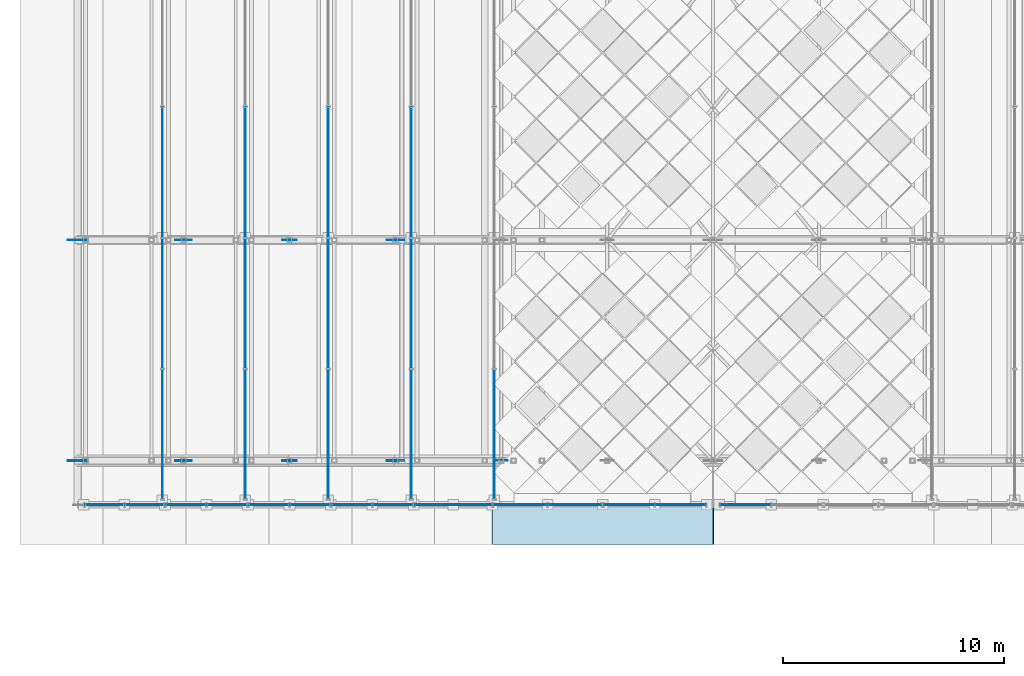
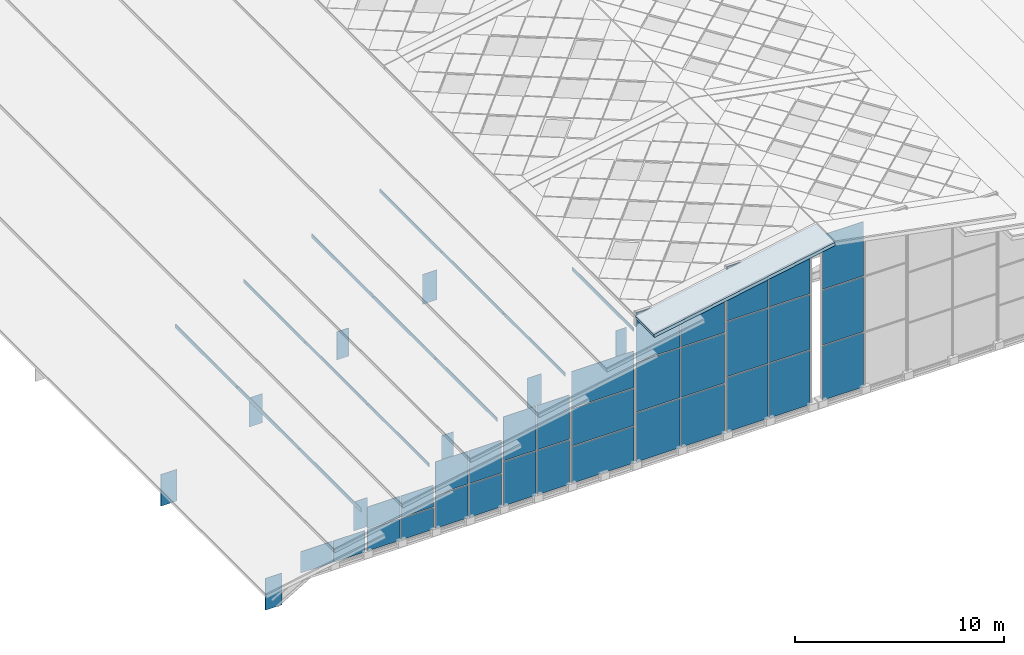
# One storey, part 85 of 117: 54 plates, 1 slab, 13 elements without a shape of their own.
"""IFC4 building model written with IfcOpenShell, lengths in metres."""

from ifc_helpers import new_model, si_unit, direction, frame, origin, origin_2d, place, context, subcontext, project, spatial, polyline, rectangle, outline, extrude, material, layer, layer_set, type_object, element, aggregate, save


model = new_model("IFC4")

# Units and contexts
model_context = context("Model", 3, precision=1e-05, world=origin(), true_north=direction((0.0, 1.0)))
body_context = subcontext(model_context, "Body", "Model", "MODEL_VIEW")
ifc_project = project(units=[si_unit("LENGTHUNIT", "METRE"), si_unit("AREAUNIT", "SQUARE_METRE"), si_unit("VOLUMEUNIT", "CUBIC_METRE"), si_unit("PLANEANGLEUNIT", "RADIAN"), si_unit("MASSUNIT", "GRAM", prefix="KILO")], contexts=[model_context])

# Site, building, storey
site_placement = place(None, origin())
site = spatial("IfcSite", under=ifc_project, at=site_placement, CompositionType="ELEMENT")
building_placement = place(site_placement, origin())
building = spatial("IfcBuilding", under=site, at=building_placement, Name="Merenkruunu Market Hall", CompositionType="ELEMENT")
storey_placement = place(building_placement, frame((0.0, 0.0, 22.800048828125)))
storey = spatial("IfcBuildingStorey", under=building, at=storey_placement, Name="RF", CompositionType="ELEMENT", Elevation=22.800048828125)

# Curtain wall, plates
ifc_material_1 = material(Name="Powder-coated aluminium", Category="aluminium")
curtain_wall_type_1 = type_object("IfcCurtainWallType", Name="Clerestory Curtain Band CL03", PredefinedType="USERDEFINED", material=ifc_material_1)
curtain_wall_1_placement = place(storey_placement, origin())
curtain_wall_1 = element("IfcCurtainWall", 1, at=curtain_wall_1_placement, inside=storey, type_object=curtain_wall_type_1, Name="CW-RF-CWM03-037", ObjectType="CLERESTORY_BAND", PredefinedType="USERDEFINED")
ifc_material_2 = material(Name="Triple low-E insulated glass", Category="glass")
ifc_layer_1 = layer(ifc_material_2, 0.035888671875)
ifc_layer_set_1 = layer_set([ifc_layer_1], Name="Triple low-E insulated glass")
plate_type_1 = type_object("IfcPlateType", Name="Curtain Wall Glazing Panel CWP05", PredefinedType="CURTAIN_PANEL", material=ifc_layer_set_1)
plate_1_placement = place(storey_placement, frame((3.02490234375, 15.60009765625, -8.630126953125), z_axis=(0.0, 0.0, 1.0), x_axis=(-1.0, 0.0, 0.0)))
plate_1 = element("IfcPlate", 2, at=plate_1_placement, type_object=plate_type_1, Name="CL03 panel 1.1", PredefinedType="CURTAIN_PANEL", context=body_context, shape_type="SweptSolid", body=[
    extrude(rectangle(XDim=1.75, YDim=0.035888671875, at=origin_2d()), origin(), (0.0, 0.0, 1.0), 1.25),
])
plate_2_placement = place(storey_placement, frame((1.215087890625, 15.60009765625, -8.630126953125), z_axis=(0.0, 0.0, 1.0), x_axis=(-1.0, 0.0, 0.0)))
plate_2 = element("IfcPlate", 3, at=plate_2_placement, type_object=plate_type_1, Name="CL03 panel 2.1", PredefinedType="CURTAIN_PANEL", context=body_context, shape_type="SweptSolid", body=[
    extrude(rectangle(XDim=1.75, YDim=0.035888671875, at=origin_2d()), origin(), (0.0, 0.0, 1.0), 1.25),
])
aggregate(curtain_wall_1, [plate_1, plate_2])

curtain_wall_type_2 = type_object("IfcCurtainWallType", Name="Glazed Curtain Wall CW17", PredefinedType="USERDEFINED", material=ifc_material_1)
curtain_wall_2_placement = place(storey_placement, origin())
curtain_wall_2 = element("IfcCurtainWall", 4, at=curtain_wall_2_placement, inside=storey, type_object=curtain_wall_type_2, Name="CW-RF-CWM03-038", ObjectType="GLAZED_FACADE", PredefinedType="USERDEFINED")
plate_3_placement = place(storey_placement, frame((6.764892578125, 15.60009765625, -8.6298828125), z_axis=(0.0, 0.0, 1.0), x_axis=(-1.0, 0.0, 0.0)))
plate_3 = element("IfcPlate", 5, at=plate_3_placement, type_object=plate_type_1, Name="CW17 panel 1.1", PredefinedType="CURTAIN_PANEL", context=body_context, shape_type="SweptSolid", body=[
    extrude(rectangle(XDim=1.7900390625, YDim=0.035888671875, at=origin_2d()), origin(), (0.0, 0.0, 1.0), 1.2548828125),
])
plate_4_placement = place(storey_placement, frame((6.764892578125, 15.60009765625, -7.31494140625), z_axis=(0.0, 0.0, 1.0), x_axis=(-1.0, 0.0, 0.0)))
plate_4 = element("IfcPlate", 6, at=plate_4_placement, type_object=plate_type_1, Name="CW17 panel 1.2", PredefinedType="CURTAIN_PANEL", context=body_context, shape_type="SweptSolid", body=[
    extrude(rectangle(XDim=1.7900390625, YDim=0.035888671875, at=origin_2d()), origin(), (0.0, 0.0, 1.0), 1.2548828125),
])
plate_5_placement = place(storey_placement, frame((4.9150390625, 15.60009765625, -8.6298828125), z_axis=(0.0, 0.0, 1.0), x_axis=(-1.0, 0.0, 0.0)))
plate_5 = element("IfcPlate", 7, at=plate_5_placement, type_object=plate_type_1, Name="CW17 panel 2.1", PredefinedType="CURTAIN_PANEL", context=body_context, shape_type="SweptSolid", body=[
    extrude(rectangle(XDim=1.7900390625, YDim=0.035888671875, at=origin_2d()), origin(), (0.0, 0.0, 1.0), 1.2548828125),
])
plate_6_placement = place(storey_placement, frame((4.9150390625, 15.60009765625, -7.31494140625), z_axis=(0.0, 0.0, 1.0), x_axis=(-1.0, 0.0, 0.0)))
plate_6 = element("IfcPlate", 8, at=plate_6_placement, type_object=plate_type_1, Name="CW17 panel 2.2", PredefinedType="CURTAIN_PANEL", context=body_context, shape_type="SweptSolid", body=[
    extrude(rectangle(XDim=1.7900390625, YDim=0.035888671875, at=origin_2d()), origin(), (0.0, 0.0, 1.0), 1.2548828125),
])
aggregate(curtain_wall_2, [plate_3, plate_4, plate_5, plate_6])

curtain_wall_3_placement = place(storey_placement, origin())
curtain_wall_3 = element("IfcCurtainWall", 9, at=curtain_wall_3_placement, inside=storey, type_object=curtain_wall_type_2, Name="CW-RF-CWM03-039", ObjectType="GLAZED_FACADE", PredefinedType="USERDEFINED")
plate_7_placement = place(storey_placement, frame((10.52490234375, 15.60009765625, -8.630126953125), z_axis=(0.0, 0.0, 1.0), x_axis=(-1.0, 0.0, 0.0)))
plate_7 = element("IfcPlate", 10, at=plate_7_placement, type_object=plate_type_1, Name="CW17 panel 1.1", PredefinedType="CURTAIN_PANEL", context=body_context, shape_type="SweptSolid", body=[
    extrude(rectangle(XDim=1.7900390625, YDim=0.035888671875, at=origin_2d()), origin(), (0.0, 0.0, 1.0), 1.9150390625),
])
plate_8_placement = place(storey_placement, frame((10.52490234375, 15.60009765625, -6.655029296875), z_axis=(0.0, 0.0, 1.0), x_axis=(-1.0, 0.0, 0.0)))
plate_8 = element("IfcPlate", 11, at=plate_8_placement, type_object=plate_type_1, Name="CW17 panel 1.2", PredefinedType="CURTAIN_PANEL", context=body_context, shape_type="SweptSolid", body=[
    extrude(rectangle(XDim=1.7900390625, YDim=0.035888671875, at=origin_2d()), origin(), (0.0, 0.0, 1.0), 1.9150390625),
])
plate_9_placement = place(storey_placement, frame((8.675048828125, 15.60009765625, -8.630126953125), z_axis=(0.0, 0.0, 1.0), x_axis=(-1.0, 0.0, 0.0)))
plate_9 = element("IfcPlate", 12, at=plate_9_placement, type_object=plate_type_1, Name="CW17 panel 2.1", PredefinedType="CURTAIN_PANEL", context=body_context, shape_type="SweptSolid", body=[
    extrude(rectangle(XDim=1.7900390625, YDim=0.035888671875, at=origin_2d()), origin(), (0.0, 0.0, 1.0), 1.9150390625),
])
plate_10_placement = place(storey_placement, frame((8.675048828125, 15.60009765625, -6.655029296875), z_axis=(0.0, 0.0, 1.0), x_axis=(-1.0, 0.0, 0.0)))
plate_10 = element("IfcPlate", 13, at=plate_10_placement, type_object=plate_type_1, Name="CW17 panel 2.2", PredefinedType="CURTAIN_PANEL", context=body_context, shape_type="SweptSolid", body=[
    extrude(rectangle(XDim=1.7900390625, YDim=0.035888671875, at=origin_2d()), origin(), (0.0, 0.0, 1.0), 1.9150390625),
])
aggregate(curtain_wall_3, [plate_7, plate_8, plate_9, plate_10])

curtain_wall_4_placement = place(storey_placement, origin())
curtain_wall_4 = element("IfcCurtainWall", 14, at=curtain_wall_4_placement, inside=storey, type_object=curtain_wall_type_2, Name="CW-RF-CWM03-040", ObjectType="GLAZED_FACADE", PredefinedType="USERDEFINED")
plate_11_placement = place(storey_placement, frame((14.284912109375, 15.60009765625, -8.6298828125), z_axis=(0.0, 0.0, 1.0), x_axis=(-1.0, 0.0, 0.0)))
plate_11 = element("IfcPlate", 15, at=plate_11_placement, type_object=plate_type_1, Name="CW17 panel 1.1", PredefinedType="CURTAIN_PANEL", context=body_context, shape_type="SweptSolid", body=[
    extrude(rectangle(XDim=1.7900390625, YDim=0.035888671875, at=origin_2d()), origin(), (0.0, 0.0, 1.0), 2.574951171875),
])
plate_12_placement = place(storey_placement, frame((14.284912109375, 15.60009765625, -5.9951171875), z_axis=(0.0, 0.0, 1.0), x_axis=(-1.0, 0.0, 0.0)))
plate_12 = element("IfcPlate", 16, at=plate_12_placement, type_object=plate_type_1, Name="CW17 panel 1.2", PredefinedType="CURTAIN_PANEL", context=body_context, shape_type="SweptSolid", body=[
    extrude(rectangle(XDim=1.7900390625, YDim=0.035888671875, at=origin_2d()), origin(), (0.0, 0.0, 1.0), 2.574951171875),
])
plate_13_placement = place(storey_placement, frame((12.43505859375, 15.60009765625, -8.6298828125), z_axis=(0.0, 0.0, 1.0), x_axis=(-1.0, 0.0, 0.0)))
plate_13 = element("IfcPlate", 17, at=plate_13_placement, type_object=plate_type_1, Name="CW17 panel 2.1", PredefinedType="CURTAIN_PANEL", context=body_context, shape_type="SweptSolid", body=[
    extrude(rectangle(XDim=1.7900390625, YDim=0.035888671875, at=origin_2d()), origin(), (0.0, 0.0, 1.0), 2.574951171875),
])
plate_14_placement = place(storey_placement, frame((12.43505859375, 15.60009765625, -5.9951171875), z_axis=(0.0, 0.0, 1.0), x_axis=(-1.0, 0.0, 0.0)))
plate_14 = element("IfcPlate", 18, at=plate_14_placement, type_object=plate_type_1, Name="CW17 panel 2.2", PredefinedType="CURTAIN_PANEL", context=body_context, shape_type="SweptSolid", body=[
    extrude(rectangle(XDim=1.7900390625, YDim=0.035888671875, at=origin_2d()), origin(), (0.0, 0.0, 1.0), 2.574951171875),
])
aggregate(curtain_wall_4, [plate_11, plate_12, plate_13, plate_14])

curtain_wall_type_3 = type_object("IfcCurtainWallType", Name="Glazed Curtain Wall CW18", PredefinedType="USERDEFINED", material=ifc_material_1)
curtain_wall_5_placement = place(storey_placement, origin())
curtain_wall_5 = element("IfcCurtainWall", 19, at=curtain_wall_5_placement, inside=storey, type_object=curtain_wall_type_3, Name="CW-RF-CWM03-041", ObjectType="GLAZED_FACADE", PredefinedType="USERDEFINED")
plate_15_placement = place(storey_placement, frame((17.02001953125, 15.60009765625, -8.630126953125), z_axis=(0.0, 0.0, 1.0), x_axis=(-1.0, 0.0, 0.0)))
plate_15 = element("IfcPlate", 20, at=plate_15_placement, type_object=plate_type_1, Name="CW18 panel 1.1", PredefinedType="CURTAIN_PANEL", context=body_context, shape_type="SweptSolid", body=[
    extrude(rectangle(XDim=3.43994140625, YDim=0.035888671875, at=origin_2d()), origin(), (0.0, 0.0, 1.0), 2.126953125),
])
plate_16_placement = place(storey_placement, frame((17.02001953125, 15.60009765625, -6.44287109375), z_axis=(0.0, 0.0, 1.0), x_axis=(-1.0, 0.0, 0.0)))
plate_16 = element("IfcPlate", 21, at=plate_16_placement, type_object=plate_type_1, Name="CW18 panel 1.2", PredefinedType="CURTAIN_PANEL", context=body_context, shape_type="SweptSolid", body=[
    extrude(rectangle(XDim=3.43994140625, YDim=0.035888671875, at=origin_2d()), origin(), (0.0, 0.0, 1.0), 2.156005859375),
])
plate_17_placement = place(storey_placement, frame((17.02001953125, 15.60009765625, -4.22705078125), z_axis=(0.0, 0.0, 1.0), x_axis=(-1.0, 0.0, 0.0)))
plate_17 = element("IfcPlate", 22, at=plate_17_placement, type_object=plate_type_1, Name="CW18 panel 1.3", PredefinedType="CURTAIN_PANEL", context=body_context, shape_type="SweptSolid", body=[
    extrude(rectangle(XDim=3.43994140625, YDim=0.035888671875, at=origin_2d()), origin(), (0.0, 0.0, 1.0), 2.126953125),
])
aggregate(curtain_wall_5, [plate_15, plate_16, plate_17])

curtain_wall_6_placement = place(storey_placement, origin())
curtain_wall_6 = element("IfcCurtainWall", 23, at=curtain_wall_6_placement, inside=storey, type_object=curtain_wall_type_3, Name="CW-RF-CWM03-042", ObjectType="GLAZED_FACADE", PredefinedType="USERDEFINED")
plate_18_placement = place(storey_placement, frame((22.534912109375, 15.60009765625, -8.630126953125), z_axis=(0.0, 0.0, 1.0), x_axis=(-1.0, 0.0, 0.0)))
plate_18 = element("IfcPlate", 24, at=plate_18_placement, type_object=plate_type_1, Name="CW18 panel 1.1", PredefinedType="CURTAIN_PANEL", context=body_context, shape_type="SweptSolid", body=[
    extrude(rectangle(XDim=2.409912109375, YDim=0.035888671875, at=origin_2d()), origin(), (0.0, 0.0, 1.0), 2.85693359375),
])
plate_19_placement = place(storey_placement, frame((22.534912109375, 15.60009765625, -5.712890625), z_axis=(0.0, 0.0, 1.0), x_axis=(-1.0, 0.0, 0.0)))
plate_19 = element("IfcPlate", 25, at=plate_19_placement, type_object=plate_type_1, Name="CW18 panel 1.2", PredefinedType="CURTAIN_PANEL", context=body_context, shape_type="SweptSolid", body=[
    extrude(rectangle(XDim=2.409912109375, YDim=0.035888671875, at=origin_2d()), origin(), (0.0, 0.0, 1.0), 2.885986328125),
])
plate_20_placement = place(storey_placement, frame((22.534912109375, 15.60009765625, -2.76708984375), z_axis=(0.0, 0.0, 1.0), x_axis=(-1.0, 0.0, 0.0)))
plate_20 = element("IfcPlate", 26, at=plate_20_placement, type_object=plate_type_1, Name="CW18 panel 1.3", PredefinedType="CURTAIN_PANEL", context=body_context, shape_type="SweptSolid", body=[
    extrude(rectangle(XDim=2.409912109375, YDim=0.035888671875, at=origin_2d()), origin(), (0.0, 0.0, 1.0), 2.85693359375),
])
plate_21_placement = place(storey_placement, frame((20.06494140625, 15.60009765625, -8.630126953125), z_axis=(0.0, 0.0, 1.0), x_axis=(-1.0, 0.0, 0.0)))
plate_21 = element("IfcPlate", 27, at=plate_21_placement, type_object=plate_type_1, Name="CW18 panel 2.1", PredefinedType="CURTAIN_PANEL", context=body_context, shape_type="SweptSolid", body=[
    extrude(rectangle(XDim=2.409912109375, YDim=0.035888671875, at=origin_2d()), origin(), (0.0, 0.0, 1.0), 2.85693359375),
])
plate_22_placement = place(storey_placement, frame((20.06494140625, 15.60009765625, -5.712890625), z_axis=(0.0, 0.0, 1.0), x_axis=(-1.0, 0.0, 0.0)))
plate_22 = element("IfcPlate", 28, at=plate_22_placement, type_object=plate_type_1, Name="CW18 panel 2.2", PredefinedType="CURTAIN_PANEL", context=body_context, shape_type="SweptSolid", body=[
    extrude(rectangle(XDim=2.409912109375, YDim=0.035888671875, at=origin_2d()), origin(), (0.0, 0.0, 1.0), 2.885986328125),
])
plate_23_placement = place(storey_placement, frame((20.06494140625, 15.60009765625, -2.76708984375), z_axis=(0.0, 0.0, 1.0), x_axis=(-1.0, 0.0, 0.0)))
plate_23 = element("IfcPlate", 29, at=plate_23_placement, type_object=plate_type_1, Name="CW18 panel 2.3", PredefinedType="CURTAIN_PANEL", context=body_context, shape_type="SweptSolid", body=[
    extrude(rectangle(XDim=2.409912109375, YDim=0.035888671875, at=origin_2d()), origin(), (0.0, 0.0, 1.0), 2.85693359375),
])
aggregate(curtain_wall_6, [plate_18, plate_19, plate_20, plate_21, plate_22, plate_23])

curtain_wall_7_placement = place(storey_placement, origin())
curtain_wall_7 = element("IfcCurtainWall", 30, at=curtain_wall_7_placement, inside=storey, type_object=curtain_wall_type_3, Name="CW-RF-CWM03-043", ObjectType="GLAZED_FACADE", PredefinedType="USERDEFINED")
plate_24_placement = place(storey_placement, frame((27.324951171875, 15.60009765625, -8.630126953125), z_axis=(0.0, 0.0, 1.0), x_axis=(-1.0, 0.0, 0.0)))
plate_24 = element("IfcPlate", 31, at=plate_24_placement, type_object=plate_type_1, Name="CW18 panel 1.1", PredefinedType="CURTAIN_PANEL", context=body_context, shape_type="SweptSolid", body=[
    extrude(rectangle(XDim=2.27001953125, YDim=0.035888671875, at=origin_2d()), origin(), (0.0, 0.0, 1.0), 3.1669921875),
])
plate_25_placement = place(storey_placement, frame((27.324951171875, 15.60009765625, -5.40283203125), z_axis=(0.0, 0.0, 1.0), x_axis=(-1.0, 0.0, 0.0)))
plate_25 = element("IfcPlate", 32, at=plate_25_placement, type_object=plate_type_1, Name="CW18 panel 1.2", PredefinedType="CURTAIN_PANEL", context=body_context, shape_type="SweptSolid", body=[
    extrude(rectangle(XDim=2.27001953125, YDim=0.035888671875, at=origin_2d()), origin(), (0.0, 0.0, 1.0), 3.196044921875),
])
plate_26_placement = place(storey_placement, frame((27.324951171875, 15.60009765625, -2.14697265625), z_axis=(0.0, 0.0, 1.0), x_axis=(-1.0, 0.0, 0.0)))
plate_26 = element("IfcPlate", 33, at=plate_26_placement, type_object=plate_type_1, Name="CW18 panel 1.3", PredefinedType="CURTAIN_PANEL", context=body_context, shape_type="SweptSolid", body=[
    extrude(rectangle(XDim=2.27001953125, YDim=0.035888671875, at=origin_2d()), origin(), (0.0, 0.0, 1.0), 3.1669921875),
])
plate_27_placement = place(storey_placement, frame((24.9951171875, 15.60009765625, -8.630126953125), z_axis=(0.0, 0.0, 1.0), x_axis=(-1.0, 0.0, 0.0)))
plate_27 = element("IfcPlate", 34, at=plate_27_placement, type_object=plate_type_1, Name="CW18 panel 2.1", PredefinedType="CURTAIN_PANEL", context=body_context, shape_type="SweptSolid", body=[
    extrude(rectangle(XDim=2.27001953125, YDim=0.035888671875, at=origin_2d()), origin(), (0.0, 0.0, 1.0), 3.1669921875),
])
plate_28_placement = place(storey_placement, frame((24.9951171875, 15.60009765625, -5.40283203125), z_axis=(0.0, 0.0, 1.0), x_axis=(-1.0, 0.0, 0.0)))
plate_28 = element("IfcPlate", 35, at=plate_28_placement, type_object=plate_type_1, Name="CW18 panel 2.2", PredefinedType="CURTAIN_PANEL", context=body_context, shape_type="SweptSolid", body=[
    extrude(rectangle(XDim=2.27001953125, YDim=0.035888671875, at=origin_2d()), origin(), (0.0, 0.0, 1.0), 3.196044921875),
])
plate_29_placement = place(storey_placement, frame((24.9951171875, 15.60009765625, -2.14697265625), z_axis=(0.0, 0.0, 1.0), x_axis=(-1.0, 0.0, 0.0)))
plate_29 = element("IfcPlate", 36, at=plate_29_placement, type_object=plate_type_1, Name="CW18 panel 2.3", PredefinedType="CURTAIN_PANEL", context=body_context, shape_type="SweptSolid", body=[
    extrude(rectangle(XDim=2.27001953125, YDim=0.035888671875, at=origin_2d()), origin(), (0.0, 0.0, 1.0), 3.1669921875),
])
aggregate(curtain_wall_7, [plate_24, plate_25, plate_26, plate_27, plate_28, plate_29])

curtain_wall_8_placement = place(storey_placement, origin())
curtain_wall_8 = element("IfcCurtainWall", 37, at=curtain_wall_8_placement, inside=storey, type_object=curtain_wall_type_3, Name="CW-RF-CWM03-044", ObjectType="GLAZED_FACADE", PredefinedType="USERDEFINED")
plate_30_placement = place(storey_placement, frame((30.27490234375, 15.60009765625, -8.630126953125), z_axis=(0.0, 0.0, 1.0), x_axis=(-1.0, 0.0, 0.0)))
plate_30 = element("IfcPlate", 38, at=plate_30_placement, type_object=plate_type_1, Name="CW18 panel 2.1", PredefinedType="CURTAIN_PANEL", context=body_context, shape_type="SweptSolid", body=[
    extrude(rectangle(XDim=2.27001953125, YDim=0.035888671875, at=origin_2d()), origin(), (0.0, 0.0, 1.0), 3.1669921875),
])
plate_31_placement = place(storey_placement, frame((30.27490234375, 15.60009765625, -5.40283203125), z_axis=(0.0, 0.0, 1.0), x_axis=(-1.0, 0.0, 0.0)))
plate_31 = element("IfcPlate", 39, at=plate_31_placement, type_object=plate_type_1, Name="CW18 panel 2.2", PredefinedType="CURTAIN_PANEL", context=body_context, shape_type="SweptSolid", body=[
    extrude(rectangle(XDim=2.27001953125, YDim=0.035888671875, at=origin_2d()), origin(), (0.0, 0.0, 1.0), 3.196044921875),
])
plate_32_placement = place(storey_placement, frame((30.27490234375, 15.60009765625, -2.14697265625), z_axis=(0.0, 0.0, 1.0), x_axis=(-1.0, 0.0, 0.0)))
plate_32 = element("IfcPlate", 40, at=plate_32_placement, type_object=plate_type_1, Name="CW18 panel 2.3", PredefinedType="CURTAIN_PANEL", context=body_context, shape_type="SweptSolid", body=[
    extrude(rectangle(XDim=2.27001953125, YDim=0.035888671875, at=origin_2d()), origin(), (0.0, 0.0, 1.0), 3.1669921875),
])
aggregate(curtain_wall_8, [plate_30, plate_31, plate_32])

curtain_wall_type_4 = type_object("IfcCurtainWallType", Name="Clerestory Curtain Band CL05", PredefinedType="USERDEFINED", material=ifc_material_1)
curtain_wall_9_placement = place(storey_placement, origin())
curtain_wall_9 = element("IfcCurtainWall", 41, at=curtain_wall_9_placement, inside=storey, type_object=curtain_wall_type_4, Name="CW-RF-CWM04-081", ObjectType="CLERESTORY_BAND", PredefinedType="USERDEFINED")
ifc_layer_2 = layer(ifc_material_2, 0.035888671875)
ifc_layer_set_2 = layer_set([ifc_layer_2], Name="Triple low-E insulated glass")
plate_type_2 = type_object("IfcPlateType", Name="Curtain Wall Glazing Panel CWP08", PredefinedType="CURTAIN_PANEL", material=ifc_layer_set_2)
plate_33_placement = place(storey_placement, frame((3.840087890625, 18.79248046875, -6.462158203125), z_axis=(0.0, 0.0, 1.0), x_axis=(0.0, 1.0, 0.0)))
plate_33 = element("IfcPlate", 42, at=plate_33_placement, type_object=plate_type_2, Name="CL05 panel 1.1", PredefinedType="CURTAIN_PANEL", context=body_context, shape_type="SweptSolid", body=[
    extrude(rectangle(XDim=5.844970703125, YDim=0.035888671875, at=origin_2d()), origin(), (0.0, 0.0, 1.0), 0.22802734375),
])
plate_34_placement = place(storey_placement, frame((3.840087890625, 24.72509765625, -6.462158203125), z_axis=(0.0, 0.0, 1.0), x_axis=(0.0, 1.0, 0.0)))
plate_34 = element("IfcPlate", 43, at=plate_34_placement, type_object=plate_type_2, Name="CL05 panel 2.1", PredefinedType="CURTAIN_PANEL", context=body_context, shape_type="SweptSolid", body=[
    extrude(rectangle(XDim=5.8798828125, YDim=0.035888671875, at=origin_2d()), origin(), (0.0, 0.0, 1.0), 0.22802734375),
])
plate_35_placement = place(storey_placement, frame((3.840087890625, 30.675048828125, -6.462158203125), z_axis=(0.0, 0.0, 1.0), x_axis=(0.0, 1.0, 0.0)))
plate_35 = element("IfcPlate", 44, at=plate_35_placement, type_object=plate_type_2, Name="CL05 panel 3.1", PredefinedType="CURTAIN_PANEL", context=body_context, shape_type="SweptSolid", body=[
    extrude(rectangle(XDim=5.8798828125, YDim=0.035888671875, at=origin_2d()), origin(), (0.0, 0.0, 1.0), 0.22802734375),
])
aggregate(curtain_wall_9, [plate_33, plate_34, plate_35])

curtain_wall_10_placement = place(storey_placement, origin())
curtain_wall_10 = element("IfcCurtainWall", 45, at=curtain_wall_10_placement, inside=storey, type_object=curtain_wall_type_4, Name="CW-RF-CWM04-089", ObjectType="CLERESTORY_BAND", PredefinedType="USERDEFINED")
plate_36_placement = place(storey_placement, frame((7.60009765625, 18.79248046875, -5.14208984375), z_axis=(0.0, 0.0, 1.0), x_axis=(0.0, 1.0, 0.0)))
plate_36 = element("IfcPlate", 46, at=plate_36_placement, type_object=plate_type_2, Name="CL05 panel 1.1", PredefinedType="CURTAIN_PANEL", context=body_context, shape_type="SweptSolid", body=[
    extrude(rectangle(XDim=5.844970703125, YDim=0.035888671875, at=origin_2d()), origin(), (0.0, 0.0, 1.0), 0.20703125),
])
plate_37_placement = place(storey_placement, frame((7.60009765625, 24.72509765625, -5.14208984375), z_axis=(0.0, 0.0, 1.0), x_axis=(0.0, 1.0, 0.0)))
plate_37 = element("IfcPlate", 47, at=plate_37_placement, type_object=plate_type_2, Name="CL05 panel 2.1", PredefinedType="CURTAIN_PANEL", context=body_context, shape_type="SweptSolid", body=[
    extrude(rectangle(XDim=5.8798828125, YDim=0.035888671875, at=origin_2d()), origin(), (0.0, 0.0, 1.0), 0.20703125),
])
plate_38_placement = place(storey_placement, frame((7.60009765625, 30.675048828125, -5.14208984375), z_axis=(0.0, 0.0, 1.0), x_axis=(0.0, 1.0, 0.0)))
plate_38 = element("IfcPlate", 48, at=plate_38_placement, type_object=plate_type_2, Name="CL05 panel 3.1", PredefinedType="CURTAIN_PANEL", context=body_context, shape_type="SweptSolid", body=[
    extrude(rectangle(XDim=5.8798828125, YDim=0.035888671875, at=origin_2d()), origin(), (0.0, 0.0, 1.0), 0.20703125),
])
aggregate(curtain_wall_10, [plate_36, plate_37, plate_38])

curtain_wall_11_placement = place(storey_placement, origin())
curtain_wall_11 = element("IfcCurtainWall", 49, at=curtain_wall_11_placement, inside=storey, type_object=curtain_wall_type_4, Name="CW-RF-CWM04-097", ObjectType="CLERESTORY_BAND", PredefinedType="USERDEFINED")
plate_39_placement = place(storey_placement, frame((11.360107421875, 18.79248046875, -3.822021484375), z_axis=(0.0, 0.0, 1.0), x_axis=(0.0, 1.0, 0.0)))
plate_39 = element("IfcPlate", 50, at=plate_39_placement, type_object=plate_type_2, Name="CL05 panel 1.1", PredefinedType="CURTAIN_PANEL", context=body_context, shape_type="SweptSolid", body=[
    extrude(rectangle(XDim=5.844970703125, YDim=0.035888671875, at=origin_2d()), origin(), (0.0, 0.0, 1.0), 0.22802734375),
])
plate_40_placement = place(storey_placement, frame((11.360107421875, 24.72509765625, -3.822021484375), z_axis=(0.0, 0.0, 1.0), x_axis=(0.0, 1.0, 0.0)))
plate_40 = element("IfcPlate", 51, at=plate_40_placement, type_object=plate_type_2, Name="CL05 panel 2.1", PredefinedType="CURTAIN_PANEL", context=body_context, shape_type="SweptSolid", body=[
    extrude(rectangle(XDim=5.8798828125, YDim=0.035888671875, at=origin_2d()), origin(), (0.0, 0.0, 1.0), 0.22802734375),
])
plate_41_placement = place(storey_placement, frame((11.360107421875, 30.675048828125, -3.822021484375), z_axis=(0.0, 0.0, 1.0), x_axis=(0.0, 1.0, 0.0)))
plate_41 = element("IfcPlate", 52, at=plate_41_placement, type_object=plate_type_2, Name="CL05 panel 3.1", PredefinedType="CURTAIN_PANEL", context=body_context, shape_type="SweptSolid", body=[
    extrude(rectangle(XDim=5.8798828125, YDim=0.035888671875, at=origin_2d()), origin(), (0.0, 0.0, 1.0), 0.22802734375),
])
aggregate(curtain_wall_11, [plate_39, plate_40, plate_41])

curtain_wall_12_placement = place(storey_placement, origin())
curtain_wall_12 = element("IfcCurtainWall", 53, at=curtain_wall_12_placement, inside=storey, type_object=curtain_wall_type_4, Name="CW-RF-CWM04-105", ObjectType="CLERESTORY_BAND", PredefinedType="USERDEFINED")
plate_42_placement = place(storey_placement, frame((15.1201171875, 18.79248046875, -2.501953125), z_axis=(0.0, 0.0, 1.0), x_axis=(0.0, 1.0, 0.0)))
plate_42 = element("IfcPlate", 54, at=plate_42_placement, type_object=plate_type_2, Name="CL05 panel 1.1", PredefinedType="CURTAIN_PANEL", context=body_context, shape_type="SweptSolid", body=[
    extrude(rectangle(XDim=5.844970703125, YDim=0.035888671875, at=origin_2d()), origin(), (0.0, 0.0, 1.0), 0.20703125),
])
plate_43_placement = place(storey_placement, frame((15.1201171875, 24.72509765625, -2.501953125), z_axis=(0.0, 0.0, 1.0), x_axis=(0.0, 1.0, 0.0)))
plate_43 = element("IfcPlate", 55, at=plate_43_placement, type_object=plate_type_2, Name="CL05 panel 2.1", PredefinedType="CURTAIN_PANEL", context=body_context, shape_type="SweptSolid", body=[
    extrude(rectangle(XDim=5.8798828125, YDim=0.035888671875, at=origin_2d()), origin(), (0.0, 0.0, 1.0), 0.20703125),
])
plate_44_placement = place(storey_placement, frame((15.1201171875, 30.675048828125, -2.501953125), z_axis=(0.0, 0.0, 1.0), x_axis=(0.0, 1.0, 0.0)))
plate_44 = element("IfcPlate", 56, at=plate_44_placement, type_object=plate_type_2, Name="CL05 panel 3.1", PredefinedType="CURTAIN_PANEL", context=body_context, shape_type="SweptSolid", body=[
    extrude(rectangle(XDim=5.8798828125, YDim=0.035888671875, at=origin_2d()), origin(), (0.0, 0.0, 1.0), 0.20703125),
])
aggregate(curtain_wall_12, [plate_42, plate_43, plate_44])

# Curtain wall, plate
curtain_wall_13_placement = place(storey_placement, origin())
curtain_wall_13 = element("IfcCurtainWall", 57, at=curtain_wall_13_placement, inside=storey, type_object=curtain_wall_type_4, Name="CW-RF-CWM04-113", ObjectType="CLERESTORY_BAND", PredefinedType="USERDEFINED")
plate_45_placement = place(storey_placement, frame((18.8798828125, 18.79248046875, -1.18212890625), z_axis=(0.0, 0.0, 1.0), x_axis=(0.0, 1.0, 0.0)))
plate_45 = element("IfcPlate", 58, at=plate_45_placement, type_object=plate_type_2, Name="CL05 panel 1.1", PredefinedType="CURTAIN_PANEL", context=body_context, shape_type="SweptSolid", body=[
    extrude(rectangle(XDim=5.844970703125, YDim=0.035888671875, at=origin_2d()), origin(), (0.0, 0.0, 1.0), 0.22802734375),
])
aggregate(curtain_wall_13, [plate_45])

# Slab
ifc_material_3 = material(Name="High-albedo white roof Steel S355ML", Category="steel")
ifc_layer_3 = layer(ifc_material_3, 0.199951171875)
ifc_layer_set_3 = layer_set([ifc_layer_3], Name="High-albedo white roof Steel S355ML")
slab_type = type_object("IfcSlabType", Name="Sloped Or Flat Roof Deck RS01", PredefinedType="ROOF", material=ifc_layer_set_3)
slab_placement = place(storey_placement, frame((18.800048828125, 13.800048828125, -0.080078125), z_axis=(-0.184775267092, 0.0, 0.98278079991), x_axis=(0.98278079991, 0.0, 0.184775267092)))
element("IfcSlab", 59, at=slab_placement, inside=storey, type_object=slab_type, Name="SL-ROOF-V1-CROWNGAB-W-S", PredefinedType="ROOF", context=body_context, shape_type="SweptSolid", body=[
    extrude(outline(polyline([(0.0, 0.0), (10.175208959027184, 0.0), (10.175208959027184, 1.800048828125), (0.0, 1.800048828125), (0.0, 0.0)])), origin(), (0.0, 0.0, -1.0), 0.199951171875),
])

# Plates
ifc_material_4 = material(Name="Steel S355ML", Category="steel")
ifc_layer_4 = layer(ifc_material_4, 0.030029296875)
ifc_layer_set_4 = layer_set([ifc_layer_4], Name="Steel S355ML")
plate_type_3 = type_object("IfcPlateType", Name="Truss Gusset Or Cap Plate TN01", PredefinedType="USERDEFINED", material=ifc_layer_set_4)
for number, where, z_axis, x_axis, name in (
    (60, (0.0, 17.60009765625, -11.72509765625), (0.0, 0.0, 1.0), (1.0, 0.0, 0.0), "PLT-AT-1-NODE-00"),
    (61, (0.0, 27.60009765625, -11.72509765625), (0.0, 0.0, 1.0), (1.0, 0.0, 0.0), "PLT-AT-2-NODE-00"),
):
    element("IfcPlate", number, at=place(storey_placement, frame(where, z_axis=z_axis, x_axis=x_axis)), inside=storey, type_object=plate_type_3, Name=name, ObjectType="GUSSET_PLATE", PredefinedType="USERDEFINED", context=body_context, shape_type="SweptSolid", body=[
        extrude(rectangle(XDim=0.89990234375, YDim=0.030029296875, at=origin_2d()), origin(), (0.0, 0.0, 1.0), 1.85009765625),
    ])
ifc_layer_5 = layer(ifc_material_4, 0.02490234375)
ifc_layer_set_5 = layer_set([ifc_layer_5], Name="Steel S355ML")
plate_type_4 = type_object("IfcPlateType", Name="Truss Gusset Or Cap Plate TN02", PredefinedType="USERDEFINED", material=ifc_layer_set_5)
for number, where, z_axis, x_axis, name in (
    (62, (4.800048828125, 17.60009765625, -8.81591796875), (0.0, 0.0, 1.0), (1.0, 0.0, 0.0), "PLT-AT-1-NODE-01"),
    (63, (4.800048828125, 27.60009765625, -8.81591796875), (0.0, 0.0, 1.0), (1.0, 0.0, 0.0), "PLT-AT-2-NODE-01"),
):
    element("IfcPlate", number, at=place(storey_placement, frame(where, z_axis=z_axis, x_axis=x_axis)), inside=storey, type_object=plate_type_4, Name=name, ObjectType="GUSSET_PLATE", PredefinedType="USERDEFINED", context=body_context, shape_type="SweptSolid", body=[
        extrude(rectangle(XDim=0.75, YDim=0.02490234375, at=origin_2d()), origin(), (0.0, 0.0, 1.0), 1.699951171875),
    ])
ifc_layer_6 = layer(ifc_material_4, 0.02490234375)
ifc_layer_set_6 = layer_set([ifc_layer_6], Name="Steel S355ML")
plate_type_5 = type_object("IfcPlateType", Name="Truss Gusset Or Cap Plate TN03", PredefinedType="USERDEFINED", material=ifc_layer_set_6)
for number, where, z_axis, x_axis, name in (
    (64, (9.60009765625, 17.60009765625, -6.595947265625), (0.0, 0.0, 1.0), (1.0, 0.0, 0.0), "PLT-AT-1-NODE-02"),
    (65, (9.60009765625, 27.60009765625, -6.595947265625), (0.0, 0.0, 1.0), (1.0, 0.0, 0.0), "PLT-AT-2-NODE-02"),
):
    element("IfcPlate", number, at=place(storey_placement, frame(where, z_axis=z_axis, x_axis=x_axis)), inside=storey, type_object=plate_type_5, Name=name, ObjectType="GUSSET_PLATE", PredefinedType="USERDEFINED", context=body_context, shape_type="SweptSolid", body=[
        extrude(rectangle(XDim=0.64990234375, YDim=0.02490234375, at=origin_2d()), origin(), (0.0, 0.0, 1.0), 1.64990234375),
    ])
ifc_layer_7 = layer(ifc_material_4, 0.028076171875)
ifc_layer_set_7 = layer_set([ifc_layer_7], Name="Steel S355ML")
plate_type_6 = type_object("IfcPlateType", Name="Truss Gusset Or Cap Plate TN04", PredefinedType="USERDEFINED", material=ifc_layer_set_7)
for number, where, z_axis, x_axis, name in (
    (66, (14.39990234375, 17.60009765625, -5.005126953125), (0.0, 0.0, 1.0), (1.0, 0.0, 0.0), "PLT-AT-1-NODE-03"),
    (67, (14.39990234375, 27.60009765625, -5.005126953125), (0.0, 0.0, 1.0), (1.0, 0.0, 0.0), "PLT-AT-2-NODE-03"),
):
    element("IfcPlate", number, at=place(storey_placement, frame(where, z_axis=z_axis, x_axis=x_axis)), inside=storey, type_object=plate_type_6, Name=name, ObjectType="GUSSET_PLATE", PredefinedType="USERDEFINED", context=body_context, shape_type="SweptSolid", body=[
        extrude(rectangle(XDim=0.800048828125, YDim=0.028076171875, at=origin_2d()), origin(), (0.0, 0.0, 1.0), 1.75),
    ])
ifc_layer_8 = layer(ifc_material_4, 0.02197265625)
ifc_layer_set_8 = layer_set([ifc_layer_8], Name="Steel S355ML")
plate_type_7 = type_object("IfcPlateType", Name="Truss Gusset Or Cap Plate TN05", PredefinedType="USERDEFINED", material=ifc_layer_set_8)
plate_46_placement = place(storey_placement, frame((19.199951171875, 17.60009765625, -3.7900390625), z_axis=(0.0, 0.0, 1.0), x_axis=(1.0, 0.0, 0.0)))
element("IfcPlate", 68, at=plate_46_placement, inside=storey, type_object=plate_type_7, Name="PLT-AT-1-NODE-04", ObjectType="GUSSET_PLATE", PredefinedType="USERDEFINED", context=body_context, shape_type="SweptSolid", body=[
    extrude(rectangle(XDim=0.60009765625, YDim=0.02197265625, at=origin_2d()), origin(), (0.0, 0.0, 1.0), 1.60009765625),
])

save(model, "model.ifc")
